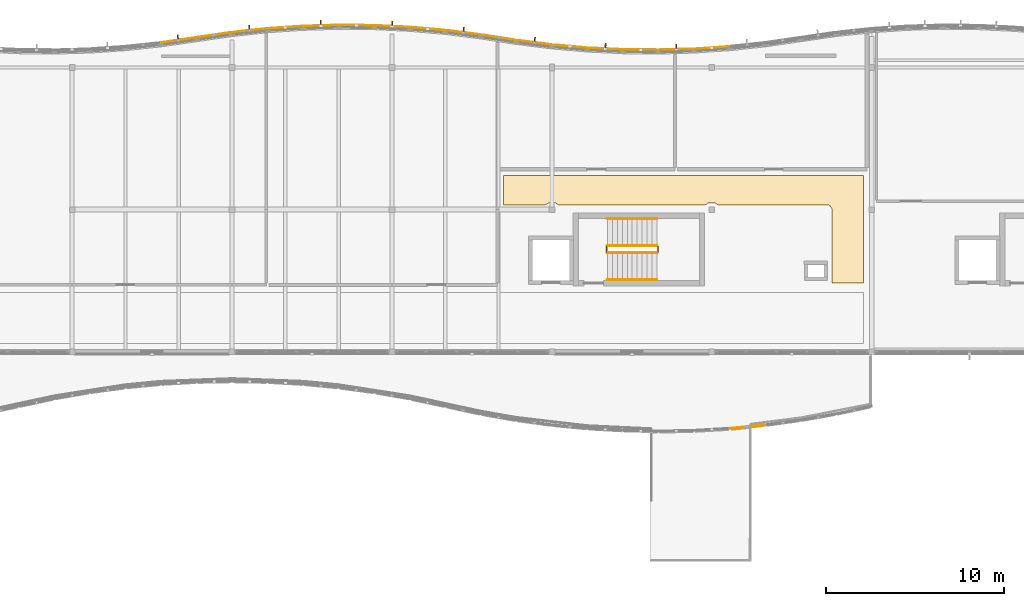
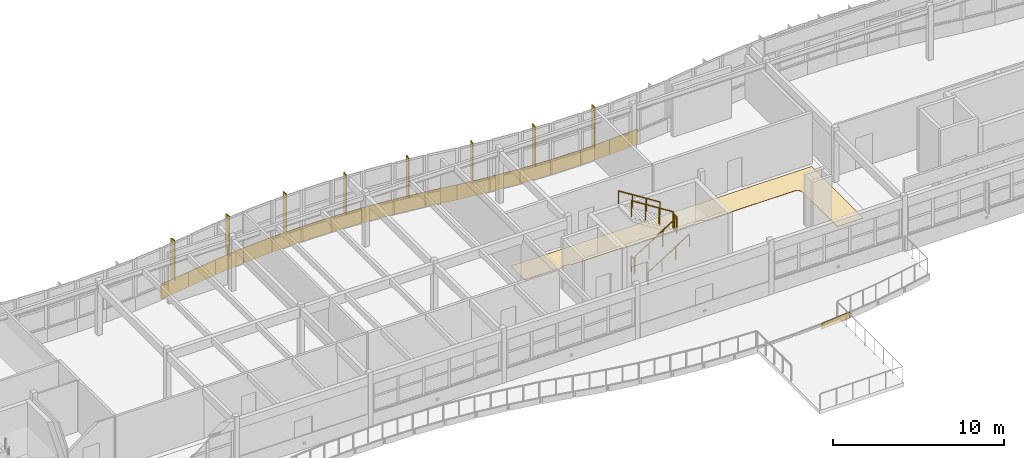
# One storey, part 31 of 33: 18 coverings, 8 shading devices, 6 railings.
"""IFC4 building model written with IfcOpenShell, lengths in metres."""

from ifc_helpers import new_model, si_unit, direction, frame, origin, origin_2d, place, context, subcontext, project, spatial, polyline, rectangle, circle, outline, extrude, material, layer, layer_set, type_object, element, save


model = new_model("IFC4")

# Units and contexts
model_context = context("Model", 3, precision=1e-05, world=origin(), true_north=direction((0.0, 1.0)))
body_context = subcontext(model_context, "Body", "Model", "MODEL_VIEW")
ifc_project = project(units=[si_unit("LENGTHUNIT", "METRE"), si_unit("AREAUNIT", "SQUARE_METRE"), si_unit("VOLUMEUNIT", "CUBIC_METRE"), si_unit("PLANEANGLEUNIT", "RADIAN"), si_unit("MASSUNIT", "GRAM", prefix="KILO")], contexts=[model_context])

# Site, building, storey
site_placement = place(None, origin())
site = spatial("IfcSite", under=ifc_project, at=site_placement, CompositionType="ELEMENT")
building_placement = place(site_placement, origin())
building = spatial("IfcBuilding", under=site, at=building_placement, Name="Tonlespit Floodbar School", CompositionType="ELEMENT")
storey_placement = place(building_placement, frame((0.0, 0.0, 16.199951171875)))
storey = spatial("IfcBuildingStorey", under=building, at=storey_placement, Name="L04", CompositionType="ELEMENT", Elevation=16.199951171875)

# Coverings
ifc_material_1 = material(Name="White Architectural Aluminium", Category="aluminium")
ifc_layer_1 = layer(ifc_material_1, 0.050048828125)
ifc_layer_set_1 = layer_set([ifc_layer_1], Name="White Architectural Aluminium")
covering_type_1 = type_object("IfcCoveringType", Name="Cladding_WhiteBand_50", PredefinedType="CLADDING", material=ifc_layer_set_1)
covering_1_placement = place(storey_placement, frame((0.0, 0.0, -0.119873046875)))
element("IfcCovering", 1, at=covering_1_placement, inside=storey, type_object=covering_type_1, Name="L04 curved white spandrel cladding 0313", PredefinedType="CLADDING", context=body_context, shape_type="SweptSolid", body=[
    extrude(outline(polyline([(75.985595703125, 121.357421875), (77.985595703125, 121.64892578125), (77.978515625, 121.698486328125), (75.978515625, 121.406982421875), (75.985595703125, 121.357421875)])), origin(), (0.0, 0.0, 1.0), 1.06982421875),
])
covering_2_placement = place(storey_placement, frame((0.0, 0.0, -0.119873046875)))
element("IfcCovering", 2, at=covering_2_placement, inside=storey, type_object=covering_type_1, Name="L04 curved white spandrel cladding 0314", PredefinedType="CLADDING", context=body_context, shape_type="SweptSolid", body=[
    extrude(outline(polyline([(77.985595703125, 121.64892578125), (79.985595703125, 121.940673828125), (79.978515625, 121.989990234375), (77.978515625, 121.698486328125), (77.985595703125, 121.64892578125)])), origin(), (0.0, 0.0, 1.0), 1.06982421875),
])
covering_3_placement = place(storey_placement, frame((0.0, 0.0, -0.119873046875)))
element("IfcCovering", 3, at=covering_3_placement, inside=storey, type_object=covering_type_1, Name="L04 curved white spandrel cladding 0315", PredefinedType="CLADDING", context=body_context, shape_type="SweptSolid", body=[
    extrude(outline(polyline([(79.989501953125, 121.94091796875), (81.989501953125, 122.15380859375), (81.984130859375, 122.203369140625), (79.984130859375, 121.99072265625), (79.989501953125, 121.94091796875)])), origin(), (0.0, 0.0, 1.0), 1.06982421875),
])
covering_4_placement = place(storey_placement, frame((0.0, 0.0, -0.119873046875)))
element("IfcCovering", 4, at=covering_4_placement, inside=storey, type_object=covering_type_1, Name="L04 curved white spandrel cladding 0316", PredefinedType="CLADDING", context=body_context, shape_type="SweptSolid", body=[
    extrude(outline(polyline([(81.993408203125, 122.154052734375), (83.993408203125, 122.2890625), (83.989990234375, 122.339111328125), (81.989990234375, 122.2041015625), (81.993408203125, 122.154052734375)])), origin(), (0.0, 0.0, 1.0), 1.06982421875),
])
covering_5_placement = place(storey_placement, frame((0.0, 0.0, -0.119873046875)))
element("IfcCovering", 5, at=covering_5_placement, inside=storey, type_object=covering_type_1, Name="L04 curved white spandrel cladding 0317", PredefinedType="CLADDING", context=body_context, shape_type="SweptSolid", body=[
    extrude(outline(polyline([(83.9970703125, 122.289306640625), (85.9970703125, 122.346923828125), (85.99560546875, 122.39697265625), (83.99560546875, 122.33935546875), (83.9970703125, 122.289306640625)])), origin(), (0.0, 0.0, 1.0), 1.06982421875),
])
covering_6_placement = place(storey_placement, frame((0.0, 0.0, -0.119873046875)))
element("IfcCovering", 6, at=covering_6_placement, inside=storey, type_object=covering_type_1, Name="L04 curved white spandrel cladding 0318", PredefinedType="CLADDING", context=body_context, shape_type="SweptSolid", body=[
    extrude(outline(polyline([(86.0009765625, 122.346923828125), (88.0009765625, 122.327880859375), (88.00146484375, 122.377685546875), (86.00146484375, 122.39697265625), (86.0009765625, 122.346923828125)])), origin(), (0.0, 0.0, 1.0), 1.06982421875),
])
covering_7_placement = place(storey_placement, frame((0.0, 0.0, -0.119873046875)))
element("IfcCovering", 7, at=covering_7_placement, inside=storey, type_object=covering_type_1, Name="L04 curved white spandrel cladding 0319", PredefinedType="CLADDING", context=body_context, shape_type="SweptSolid", body=[
    extrude(outline(polyline([(88.0048828125, 122.32763671875), (90.0048828125, 122.2314453125), (90.007080078125, 122.28125), (88.007080078125, 122.377685546875), (88.0048828125, 122.32763671875)])), origin(), (0.0, 0.0, 1.0), 1.06982421875),
])
covering_8_placement = place(storey_placement, frame((0.0, 0.0, -0.119873046875)))
element("IfcCovering", 8, at=covering_8_placement, inside=storey, type_object=covering_type_1, Name="L04 curved white spandrel cladding 0320", PredefinedType="CLADDING", context=body_context, shape_type="SweptSolid", body=[
    extrude(outline(polyline([(90.0087890625, 122.231201171875), (92.0087890625, 122.057373046875), (92.012939453125, 122.107177734375), (90.012939453125, 122.281005859375), (90.0087890625, 122.231201171875)])), origin(), (0.0, 0.0, 1.0), 1.06982421875),
])
covering_9_placement = place(storey_placement, frame((0.0, 0.0, -0.119873046875)))
element("IfcCovering", 9, at=covering_9_placement, inside=storey, type_object=covering_type_1, Name="L04 curved white spandrel cladding 0321", PredefinedType="CLADDING", context=body_context, shape_type="SweptSolid", body=[
    extrude(outline(polyline([(92.012451171875, 122.056884765625), (94.012451171875, 121.804931640625), (94.018798828125, 121.8544921875), (92.018798828125, 122.1064453125), (92.012451171875, 122.056884765625)])), origin(), (0.0, 0.0, 1.0), 1.06982421875),
])
covering_10_placement = place(storey_placement, frame((0.0, 0.0, -0.119873046875)))
element("IfcCovering", 10, at=covering_10_placement, inside=storey, type_object=covering_type_1, Name="L04 curved white spandrel cladding 0322", PredefinedType="CLADDING", context=body_context, shape_type="SweptSolid", body=[
    extrude(outline(polyline([(94.015380859375, 121.804443359375), (96.015380859375, 121.4931640625), (96.023193359375, 121.54248046875), (94.023193359375, 121.85400390625), (94.015380859375, 121.804443359375)])), origin(), (0.0, 0.0, 1.0), 1.06982421875),
])
covering_11_placement = place(storey_placement, frame((0.0, 0.0, -0.119873046875)))
element("IfcCovering", 11, at=covering_11_placement, inside=storey, type_object=covering_type_1, Name="L04 curved white spandrel cladding 0323", PredefinedType="CLADDING", context=body_context, shape_type="SweptSolid", body=[
    extrude(outline(polyline([(96.012451171875, 121.493408203125), (98.012451171875, 121.241455078125), (98.018798828125, 121.291015625), (96.018798828125, 121.543212890625), (96.012451171875, 121.493408203125)])), origin(), (0.0, 0.0, 1.0), 1.06982421875),
])
covering_12_placement = place(storey_placement, frame((0.0, 0.0, -0.119873046875)))
element("IfcCovering", 12, at=covering_12_placement, inside=storey, type_object=covering_type_1, Name="L04 curved white spandrel cladding 0324", PredefinedType="CLADDING", context=body_context, shape_type="SweptSolid", body=[
    extrude(outline(polyline([(98.0087890625, 121.241943359375), (100.0087890625, 121.068115234375), (100.012939453125, 121.117919921875), (98.012939453125, 121.291748046875), (98.0087890625, 121.241943359375)])), origin(), (0.0, 0.0, 1.0), 1.06982421875),
])
covering_13_placement = place(storey_placement, frame((0.0, 0.0, -0.119873046875)))
element("IfcCovering", 13, at=covering_13_placement, inside=storey, type_object=covering_type_1, Name="L04 curved white spandrel cladding 0325", PredefinedType="CLADDING", context=body_context, shape_type="SweptSolid", body=[
    extrude(outline(polyline([(100.0048828125, 121.068359375), (102.0048828125, 120.97216796875), (102.007080078125, 121.02197265625), (100.007080078125, 121.118408203125), (100.0048828125, 121.068359375)])), origin(), (0.0, 0.0, 1.0), 1.06982421875),
])
covering_14_placement = place(storey_placement, frame((0.0, 0.0, -0.119873046875)))
element("IfcCovering", 14, at=covering_14_placement, inside=storey, type_object=covering_type_1, Name="L04 curved white spandrel cladding 0326", PredefinedType="CLADDING", context=body_context, shape_type="SweptSolid", body=[
    extrude(outline(polyline([(102.0009765625, 120.97216796875), (104.0009765625, 120.952880859375), (104.00146484375, 121.0029296875), (102.00146484375, 121.022216796875), (102.0009765625, 120.97216796875)])), origin(), (0.0, 0.0, 1.0), 1.06982421875),
])
covering_15_placement = place(storey_placement, frame((0.0, 0.0, -0.119873046875)))
element("IfcCovering", 15, at=covering_15_placement, inside=storey, type_object=covering_type_1, Name="L04 curved white spandrel cladding 0327", PredefinedType="CLADDING", context=body_context, shape_type="SweptSolid", body=[
    extrude(outline(polyline([(103.9970703125, 120.952880859375), (105.9970703125, 121.0107421875), (105.99560546875, 121.060791015625), (103.99560546875, 121.0029296875), (103.9970703125, 120.952880859375)])), origin(), (0.0, 0.0, 1.0), 1.06982421875),
])
covering_16_placement = place(storey_placement, frame((0.0, 0.0, -0.119873046875)))
element("IfcCovering", 16, at=covering_16_placement, inside=storey, type_object=covering_type_1, Name="L04 curved white spandrel cladding 0328", PredefinedType="CLADDING", context=body_context, shape_type="SweptSolid", body=[
    extrude(outline(polyline([(105.993408203125, 121.010498046875), (107.993408203125, 121.1455078125), (107.989990234375, 121.1953125), (105.989990234375, 121.060302734375), (105.993408203125, 121.010498046875)])), origin(), (0.0, 0.0, 1.0), 1.06982421875),
])
covering_17_placement = place(storey_placement, frame((0.0, 0.0, -0.300048828125)))
element("IfcCovering", 17, at=covering_17_placement, inside=storey, type_object=covering_type_1, Name="L04 curved white spandrel cladding 0376", PredefinedType="CLADDING", context=body_context, shape_type="SweptSolid", body=[
    extrude(outline(polyline([(108.0, 99.71044921875), (110.0, 99.90380859375), (110.0, 99.853759765625), (108.0, 99.660400390625), (108.0, 99.71044921875)])), origin(), (0.0, 0.0, 1.0), 0.420166015625),
])
ifc_material_2 = material(Name="Terrazzo Tile")
ifc_layer_2 = layer(ifc_material_2, 0.02001953125)
ifc_layer_set_2 = layer_set([ifc_layer_2], Name="Terrazzo Tile")
covering_type_2 = type_object("IfcCoveringType", Name="Flooring_Terrazzo_20", PredefinedType="FLOORING", material=ifc_layer_set_2)
covering_18_placement = place(storey_placement, origin())
element("IfcCovering", 18, at=covering_18_placement, inside=storey, type_object=covering_type_2, Name="L04 East Lobby Passage L04 terrazzo flooring", PredefinedType="FLOORING", context=body_context, shape_type="SweptSolid", body=[
    extrude(outline(polyline([(97.6416015625, 112.27001953125), (95.27001953125, 112.27001953125), (95.27001953125, 113.929931640625), (115.530029296875, 113.929931640625), (115.530029296875, 107.8701171875), (113.77001953125, 107.8701171875), (113.76904296875, 112.01953125), (113.66845703125, 112.195556640625), (113.552734375, 112.264892578125), (107.3583984375, 112.27001953125), (107.179931640625, 112.3798828125), (106.781005859375, 112.376220703125), (106.6416015625, 112.27001953125), (98.3583984375, 112.27001953125), (98.218994140625, 112.376220703125), (97.820068359375, 112.3798828125), (97.6416015625, 112.27001953125)])), origin(), (0.0, 0.0, 1.0), 0.02001953125),
])

# Railings
ifc_material_3 = material(Name="Galvanised Steel", Category="steel")
railing_type_1 = type_object("IfcRailingType", Name="Guard_Int_1150", PredefinedType="BALUSTRADE", material=ifc_material_3)
railing_1_placement = place(storey_placement, frame((101.1201171875, 109.570068359375, 0.17724609375)))
element("IfcRailing", 19, at=railing_1_placement, inside=storey, type_object=railing_type_1, Name="L04 ST-C2 stair guard 1", PredefinedType="BALUSTRADE", context=body_context, shape_type="SweptSolid", body=[
    extrude(circle(Radius=0.02392578125, at=origin_2d()), frame((0.0, 0.0, 1.1259765625), z_axis=(0.844887892834, 0.0, 0.53494340686), x_axis=(0.0, 1.0, 0.0)), (0.0, 0.0, 1.0), 3.313720703125),
    extrude(circle(Radius=0.02099609375, at=origin_2d()), origin(), (0.0, 0.0, 1.0), 1.101806640625),
    extrude(circle(Radius=0.02099609375, at=origin_2d()), frame((0.933349609375, 0.0, 0.5908203125)), (0.0, 0.0, 1.0), 1.101806640625),
    extrude(circle(Radius=0.02099609375, at=origin_2d()), frame((1.866455078125, 0.0, 1.181884765625)), (0.0, 0.0, 1.0), 1.101806640625),
    extrude(circle(Radius=0.02099609375, at=origin_2d()), frame((2.7998046875, 0.0, 1.772705078125)), (0.0, 0.0, 1.0), 1.101806640625),
])
railing_2_placement = place(storey_placement, frame((103.969970703125, 109.6201171875, 1.949951171875)))
element("IfcRailing", 20, at=railing_2_placement, inside=storey, type_object=railing_type_1, Name="L04 ST-C2 stair guard 2", PredefinedType="BALUSTRADE", context=body_context, shape_type="SweptSolid", body=[
    extrude(circle(Radius=0.02392578125, at=origin_2d()), frame((0.0, 0.0, 1.1259765625), z_axis=(0.0, 1.0, 0.0), x_axis=(-1.0, 0.0, 0.0)), (0.0, 0.0, 1.0), 0.2998046875),
    extrude(circle(Radius=0.02099609375, at=origin_2d()), origin(), (0.0, 0.0, 1.0), 1.101806640625),
    extrude(circle(Radius=0.02099609375, at=origin_2d()), frame((0.0, 0.2998046875, 0.0)), (0.0, 0.0, 1.0), 1.101806640625),
])
railing_3_placement = place(storey_placement, frame((103.919921875, 109.969970703125, 2.12744140625)))
element("IfcRailing", 21, at=railing_3_placement, inside=storey, type_object=railing_type_1, Name="L04 ST-C2 stair guard 3", PredefinedType="BALUSTRADE", context=body_context, shape_type="SweptSolid", body=[
    extrude(circle(Radius=0.02392578125, at=origin_2d()), frame((0.0, 0.0, 1.1259765625), z_axis=(-0.844887892834, 0.0, 0.53494340686), x_axis=(0.0, -1.0, 0.0)), (0.0, 0.0, 1.0), 3.313720703125),
    extrude(circle(Radius=0.02099609375, at=origin_2d()), origin(), (0.0, 0.0, 1.0), 1.101806640625),
    extrude(circle(Radius=0.02099609375, at=origin_2d()), frame((-0.933349609375, 0.0, 0.5908203125)), (0.0, 0.0, 1.0), 1.101806640625),
    extrude(circle(Radius=0.02099609375, at=origin_2d()), frame((-1.866455078125, 0.0, 1.181884765625)), (0.0, 0.0, 1.0), 1.101806640625),
    extrude(circle(Radius=0.02099609375, at=origin_2d()), frame((-2.7998046875, 0.0, 1.772705078125)), (0.0, 0.0, 1.0), 1.101806640625),
])
railing_4_placement = place(storey_placement, frame((101.070068359375, 109.6201171875, 0.0)))
element("IfcRailing", 22, at=railing_4_placement, inside=storey, type_object=railing_type_1, Name="L04 ST-C2 stair guard 4", PredefinedType="BALUSTRADE", context=body_context, shape_type="SweptSolid", body=[
    extrude(circle(Radius=0.02392578125, at=origin_2d()), frame((0.0, 0.0, 1.1259765625), z_axis=(0.0, 1.0, 0.0), x_axis=(-1.0, 0.0, 0.0)), (0.0, 0.0, 1.0), 0.2998046875),
    extrude(circle(Radius=0.02099609375, at=origin_2d()), origin(), (0.0, 0.0, 1.0), 1.101806640625),
    extrude(circle(Radius=0.02099609375, at=origin_2d()), frame((0.0, 0.2998046875, 0.0)), (0.0, 0.0, 1.0), 1.101806640625),
])
railing_type_2 = type_object("IfcRailingType", Name="Handrail_Int_920", PredefinedType="HANDRAIL", material=ifc_material_3)
railing_5_placement = place(storey_placement, frame((101.1201171875, 108.050048828125, 0.17724609375)))
element("IfcRailing", 23, at=railing_5_placement, inside=storey, type_object=railing_type_2, Name="L04 ST-C2 stair handrail 1", PredefinedType="HANDRAIL", context=body_context, shape_type="SweptSolid", body=[
    extrude(circle(Radius=0.02392578125, at=origin_2d()), frame((0.0, 0.0, 0.89599609375), z_axis=(0.844887892834, 0.0, 0.53494340686), x_axis=(0.0, 1.0, 0.0)), (0.0, 0.0, 1.0), 3.313720703125),
    extrude(circle(Radius=0.02099609375, at=origin_2d()), origin(), (0.0, 0.0, 1.0), 0.871826171875),
    extrude(circle(Radius=0.02099609375, at=origin_2d()), frame((0.933349609375, 0.0, 0.5908203125)), (0.0, 0.0, 1.0), 0.871826171875),
    extrude(circle(Radius=0.02099609375, at=origin_2d()), frame((1.866455078125, 0.0, 1.181884765625)), (0.0, 0.0, 1.0), 0.871826171875),
    extrude(circle(Radius=0.02099609375, at=origin_2d()), frame((2.7998046875, 0.0, 1.772705078125)), (0.0, 0.0, 1.0), 0.871826171875),
])
railing_6_placement = place(storey_placement, frame((103.919921875, 111.489990234375, 2.12744140625)))
element("IfcRailing", 24, at=railing_6_placement, inside=storey, type_object=railing_type_2, Name="L04 ST-C2 stair handrail 2", PredefinedType="HANDRAIL", context=body_context, shape_type="SweptSolid", body=[
    extrude(circle(Radius=0.02392578125, at=origin_2d()), frame((0.0, 0.0, 0.89599609375), z_axis=(-0.844887892834, 0.0, 0.53494340686), x_axis=(0.0, -1.0, 0.0)), (0.0, 0.0, 1.0), 3.313720703125),
    extrude(circle(Radius=0.02099609375, at=origin_2d()), origin(), (0.0, 0.0, 1.0), 0.871826171875),
    extrude(circle(Radius=0.02099609375, at=origin_2d()), frame((-0.933349609375, 0.0, 0.5908203125)), (0.0, 0.0, 1.0), 0.871826171875),
    extrude(circle(Radius=0.02099609375, at=origin_2d()), frame((-1.866455078125, 0.0, 1.181884765625)), (0.0, 0.0, 1.0), 0.871826171875),
    extrude(circle(Radius=0.02099609375, at=origin_2d()), frame((-2.7998046875, 0.0, 1.772705078125)), (0.0, 0.0, 1.0), 0.871826171875),
])

# Shading devices
ifc_material_4 = material(Name="Terracotta Anodised Aluminium", Category="masonry")
ifc_layer_3 = layer(ifc_material_4, 0.06005859375)
ifc_layer_set_3 = layer_set([ifc_layer_3], Name="Terracotta Anodised Aluminium")
shading_device_type = type_object("IfcShadingDeviceType", Name="Shading_SolarFin_350", PredefinedType="USERDEFINED", material=ifc_layer_set_3)
for number, where, z_axis, x_axis, name in (
    (25, (76.96240234375, 121.66162109375, 0.800048828125), (0.0, 0.0, 1.0), (0.989537627347, 0.144275029245, 0.0), "L04 vertical solar fin 082"),
    (26, (80.972412109375, 122.20654296875, 0.800048828125), (0.0, 0.0, 1.0), (0.99439234017, 0.105753835922, 0.0), "L04 vertical solar fin 083"),
    (27, (84.992431640625, 122.47802734375, 0.800048828125), (0.0, 0.0, 1.0), (0.999584110869, 0.02883756748, 0.0), "L04 vertical solar fin 084"),
    (28, (89.012451171875, 122.439208984375, 0.800048828125), (0.0, 0.0, 1.0), (0.998842769234, -0.048094930587, 0.0), "L04 vertical solar fin 085"),
    (29, (93.032470703125, 122.089599609375, 0.800048828125), (0.0, 0.0, 1.0), (0.99215533612, -0.125011155539, 0.0), "L04 vertical solar fin 086"),
    (30, (97.032470703125, 121.5263671875, 0.800048828125), (0.0, 0.0, 1.0), (0.99215533612, -0.125011155539, 0.0), "L04 vertical solar fin 087"),
    (31, (101.012451171875, 121.179931640625, 0.800048828125), (0.0, 0.0, 1.0), (0.998842769234, -0.048094930587, 0.0), "L04 vertical solar fin 088"),
    (32, (104.992431640625, 121.1416015625, 0.800048828125), (0.0, 0.0, 1.0), (0.999584110869, 0.02883756748, 0.0), "L04 vertical solar fin 089"),
):
    element("IfcShadingDevice", number, at=place(storey_placement, frame(where, z_axis=z_axis, x_axis=x_axis)), inside=storey, type_object=shading_device_type, Name=name, ObjectType="SOLAR FIN", PredefinedType="USERDEFINED", context=body_context, shape_type="SweptSolid", body=[
        extrude(rectangle(XDim=0.06005859375, YDim=0.35009765625, at=origin_2d()), origin(), (0.0, 0.0, 1.0), 2.85009765625),
    ])

save(model, "model.ifc")
